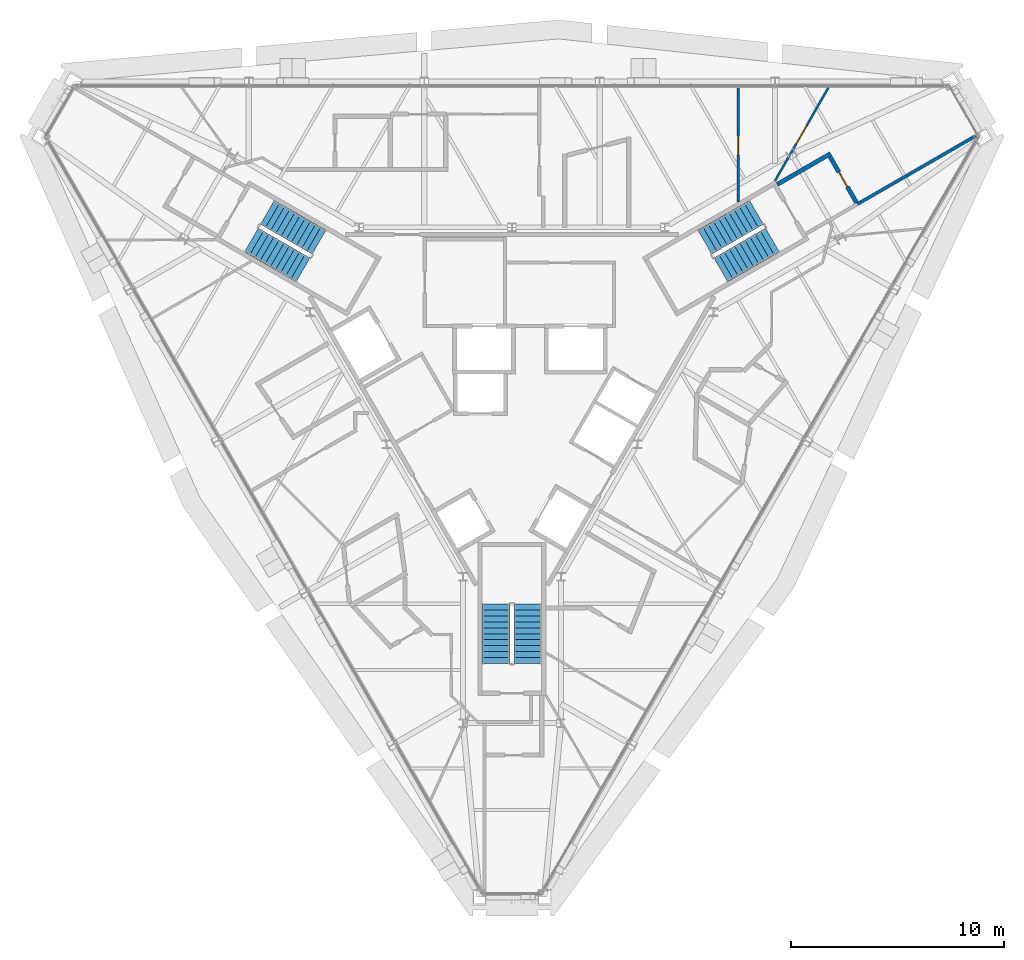
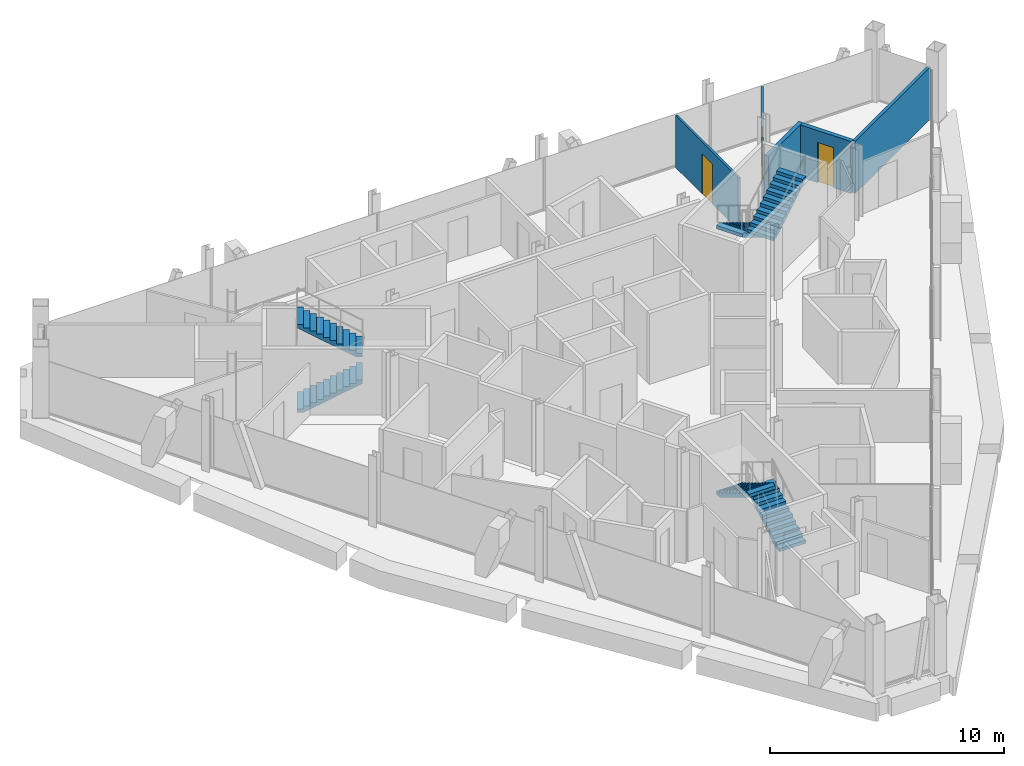
# One storey, part 11 of 13: 6 stair flights, 5 walls, 3 doors, 3 openings, 3 elements without a shape of their own.
"""IFC4 building model written with IfcOpenShell, lengths in metres."""

from ifc_helpers import new_model, si_unit, direction, frame, frame_2d, origin, place, context, subcontext, project, spatial, polyline, rectangle, outline, extrude, material, layer, layer_set, type_object, element, fill, aggregate, save


model = new_model("IFC4")

# Units and contexts
model_context = context("Model", 3, precision=1e-05, world=origin(), true_north=direction((0.0, 1.0)))
body_context = subcontext(model_context, "Body", "Model", "MODEL_VIEW")
ifc_project = project(units=[si_unit("LENGTHUNIT", "METRE"), si_unit("AREAUNIT", "SQUARE_METRE"), si_unit("VOLUMEUNIT", "CUBIC_METRE"), si_unit("PLANEANGLEUNIT", "RADIAN"), si_unit("MASSUNIT", "GRAM", prefix="KILO")], contexts=[model_context])

# Site, building, storey
site_placement = place(None, origin())
site = spatial("IfcSite", under=ifc_project, at=site_placement, CompositionType="ELEMENT")
building_placement = place(site_placement, origin())
building = spatial("IfcBuilding", under=site, at=building_placement, Name="Verrane Prism Tower", CompositionType="ELEMENT")
storey_placement = place(building_placement, frame((0.0, 0.0, 278.800048828125)))
storey = spatial("IfcBuildingStorey", under=building, at=storey_placement, Name="L70", CompositionType="ELEMENT", Elevation=278.800048828125)

# Wall, opening, door
ifc_material_1 = material(Name="Gypsum board partition", Category="other")
ifc_layer_1 = layer(ifc_material_1, 0.10009765625)
ifc_layer_set_1 = layer_set([ifc_layer_1], Name="PW-100 room partition")
wall_type_1 = type_object("IfcWallType", Name="PW-100 room partition", PredefinedType="PARTITIONING", material=ifc_layer_set_1)
wall_1_placement = place(storey_placement, frame((10.631103515625, 13.35107421875, 0.0), z_axis=(0.0, 0.0, 1.0), x_axis=(0.0, -1.0, 0.0)))
wall_1 = element("IfcWall", 1, at=wall_1_placement, inside=storey, type_object=wall_type_1, Name="Room partition 061", PredefinedType="PARTITIONING", context=body_context, shape_type="SweptSolid", body=[
    extrude(rectangle(XDim=5.365966796875, YDim=0.10009765625, at=frame_2d((2.68310546875, 0.0))), origin(), (0.0, 0.0, 1.0), 2.722900390625),
])
opening_1_placement = place(wall_1_placement, frame((2.26611328125, 0.0, 0.0)))
opening_1 = element("IfcOpeningElement", 2, at=opening_1_placement, cuts=wall_1, Name="Opening D69010", PredefinedType="OPENING", context=body_context, shape_type="SweptSolid", body=[
    extrude(rectangle(XDim=0.89990234375, YDim=2.10009765625, at=frame_2d((0.449951171875, 1.050048828125))), frame((0.0, 0.06005859375, 0.0), z_axis=(0.0, -1.0, 0.0), x_axis=(1.0, 0.0, 0.0)), (0.0, 0.0, 1.0), 0.1201171875),
])
ifc_material_2 = material(Name="Timber veneered door leaf", Category="wood")
door_type_1 = type_object("IfcDoorType", Name="DR-900x2100 single leaf inner", OperationType="NOTDEFINED", PredefinedType="DOOR", material=ifc_material_2)
door_1_placement = place(opening_1_placement, origin())
door_1 = element("IfcDoor", 3, at=door_1_placement, inside=storey, type_object=door_type_1, Name="Living And Dining Room door", OperationType="SINGLE_SWING_LEFT", OverallHeight=2.10009765625, OverallWidth=0.89990234375, PredefinedType="DOOR", context=body_context, shape_type="SweptSolid", body=[
    extrude(rectangle(XDim=0.89990234375, YDim=2.10009765625, at=frame_2d((0.449951171875, 1.050048828125))), frame((0.0, 0.02490234375, 0.0), z_axis=(0.0, -1.0, 0.0), x_axis=(1.0, 0.0, 0.0)), (0.0, 0.0, 1.0), 0.050048828125),
])
fill(opening_1, door_1)

wall_2_placement = place(storey_placement, frame((14.867919921875, 13.361572265625, 0.0), z_axis=(0.0, 0.0, 1.0), x_axis=(-0.496681239155, -0.867933031214, 0.0)))
wall_2 = element("IfcWall", 4, at=wall_2_placement, inside=storey, type_object=wall_type_1, Name="Room partition 068", PredefinedType="PARTITIONING", context=body_context, shape_type="SweptSolid", body=[
    extrude(rectangle(XDim=5.041259765625, YDim=0.10009765625, at=frame_2d((2.5205078125, 0.0))), origin(), (0.0, 0.0, 1.0), 2.722900390625),
])
opening_2_placement = place(wall_2_placement, frame((2.041259765625, 0.0, 0.0)))
opening_2 = element("IfcOpeningElement", 5, at=opening_2_placement, cuts=wall_2, Name="Opening D69013", PredefinedType="OPENING", context=body_context, shape_type="SweptSolid", body=[
    extrude(rectangle(XDim=1.0, YDim=2.10009765625, at=frame_2d((0.5, 1.050048828125))), frame((0.0, 0.06005859375, 0.0), z_axis=(0.0, -1.0, 0.0), x_axis=(1.0, 0.0, 0.0)), (0.0, 0.0, 1.0), 0.1201171875),
])
ifc_material_3 = material(Name="Timber veneered door leaf", Category="wood")
door_type_2 = type_object("IfcDoorType", Name="DR-1000x2100 single leaf inner", OperationType="NOTDEFINED", PredefinedType="DOOR", material=ifc_material_3)
door_2_placement = place(opening_2_placement, origin())
door_2 = element("IfcDoor", 6, at=door_2_placement, inside=storey, type_object=door_type_2, Name="Study door", OperationType="SINGLE_SWING_RIGHT", OverallHeight=2.10009765625, OverallWidth=1.0, PredefinedType="DOOR", context=body_context, shape_type="SweptSolid", body=[
    extrude(rectangle(XDim=1.0, YDim=2.10009765625, at=frame_2d((0.5, 1.050048828125))), frame((0.0, 0.02490234375, 0.0), z_axis=(0.0, -1.0, 0.0), x_axis=(1.0, 0.0, 0.0)), (0.0, 0.0, 1.0), 0.050048828125),
])
fill(opening_2, door_2)

# Walls
ifc_material_4 = material(Name="Gypsum board partition", Category="other")
ifc_layer_2 = layer(ifc_material_4, 0.14990234375)
ifc_layer_set_2 = layer_set([ifc_layer_2], Name="PW-150 demising wall 1 h")
wall_type_2 = type_object("IfcWallType", Name="PW-150 demising wall 1 h", PredefinedType="PARTITIONING", material=ifc_layer_set_2)
wall_3_placement = place(storey_placement, frame((16.236083984375, 7.888916015625, 0.0), z_axis=(0.0, 0.0, 1.0), x_axis=(0.865995456094, 0.500051867335, 0.0)))
element("IfcWall", 7, at=wall_3_placement, inside=storey, type_object=wall_type_2, Name="Demising wall 075", PredefinedType="PARTITIONING", context=body_context, shape_type="SweptSolid", body=[
    extrude(rectangle(XDim=6.415283203125, YDim=0.14990234375, at=frame_2d((3.20751953125, 0.0))), origin(), (0.0, 0.0, 1.0), 2.722900390625),
])
ifc_material_5 = material(Name="Gypsum board partition", Category="other")
ifc_layer_3 = layer(ifc_material_5, 0.199951171875)
ifc_layer_set_3 = layer_set([ifc_layer_3], Name="PW-200 plumbing wall")
wall_type_3 = type_object("IfcWallType", Name="PW-200 plumbing wall", PredefinedType="PARTITIONING", material=ifc_layer_set_3)
wall_4_placement = place(storey_placement, frame((12.464111328125, 8.81298828125, 0.0), z_axis=(0.0, 0.0, 1.0), x_axis=(0.865948555758, 0.50013308107, 0.0)))
element("IfcWall", 8, at=wall_4_placement, inside=storey, type_object=wall_type_3, Name="Plumbing wall 069", PredefinedType="PARTITIONING", context=body_context, shape_type="SweptSolid", body=[
    extrude(rectangle(XDim=2.899169921875, YDim=0.199951171875, at=frame_2d((1.44970703125, 0.0))), origin(), (0.0, 0.0, 1.0), 2.722900390625),
])

# Wall, opening, door
wall_5_placement = place(storey_placement, frame((16.193603515625, 7.951904296875, 0.0), z_axis=(0.0, 0.0, 1.0), x_axis=(-0.500039460523, 0.866002620042, 0.0)))
wall_5 = element("IfcWall", 9, at=wall_5_placement, inside=storey, type_object=wall_type_3, Name="Plumbing wall 072", PredefinedType="PARTITIONING", context=body_context, shape_type="SweptSolid", body=[
    extrude(rectangle(XDim=2.510986328125, YDim=0.199951171875, at=frame_2d((1.25537109375, 0.0))), origin(), (0.0, 0.0, 1.0), 2.722900390625),
])
opening_3_placement = place(wall_5_placement, frame((0.86083984375, 0.0, 0.0)))
opening_3 = element("IfcOpeningElement", 10, at=opening_3_placement, cuts=wall_5, Name="Opening D69014", PredefinedType="OPENING", context=body_context, shape_type="SweptSolid", body=[
    extrude(rectangle(XDim=0.800048828125, YDim=2.10009765625, at=frame_2d((0.39990234375, 1.050048828125))), frame((0.0, 0.10986328125, 0.0), z_axis=(0.0, -1.0, 0.0), x_axis=(1.0, 0.0, 0.0)), (0.0, 0.0, 1.0), 0.219970703125),
])
ifc_material_6 = material(Name="Timber veneered door leaf", Category="wood")
door_type_3 = type_object("IfcDoorType", Name="DR-800x2100 single leaf bath", OperationType="NOTDEFINED", PredefinedType="DOOR", material=ifc_material_6)
door_3_placement = place(opening_3_placement, origin())
door_3 = element("IfcDoor", 11, at=door_3_placement, inside=storey, type_object=door_type_3, Name="Master Bathroom door", OperationType="SINGLE_SWING_LEFT", OverallHeight=2.10009765625, OverallWidth=0.800048828125, PredefinedType="DOOR", context=body_context, shape_type="SweptSolid", body=[
    extrude(rectangle(XDim=0.800048828125, YDim=2.10009765625, at=frame_2d((0.39990234375, 1.050048828125))), frame((0.0, 0.02490234375, 0.0), z_axis=(0.0, -1.0, 0.0), x_axis=(1.0, 0.0, 0.0)), (0.0, 0.0, 1.0), 0.050048828125),
])
fill(opening_3, door_3)

# Stair, stair flights
ifc_material_7 = material(Name="Concrete C40/50", Category="concrete")
stair_type = type_object("IfcStairType", Name="Exit stair 1300 dog-leg precast concrete C40/50", PredefinedType="HALF_TURN_STAIR", material=ifc_material_7)
stair_1_placement = place(storey_placement, origin())
stair_1 = element("IfcStair", 12, at=stair_1_placement, inside=storey, type_object=stair_type, Name="Stair 1 L70", PredefinedType="HALF_TURN_STAIR")
ifc_material_8 = material(Name="Concrete C40/50", Category="concrete")
stair_flight_type = type_object("IfcStairFlightType", Name="Stair flight 1300 precast concrete C40/50", PredefinedType="STRAIGHT", material=ifc_material_8)
stair_flight_1_placement = place(storey_placement, frame((11.489501953125, 7.49951171875, 0.0), z_axis=(0.0, 0.0, 1.0), x_axis=(-0.866025403784, -0.5, 0.0)))
stair_flight_1 = element("IfcStairFlight", 13, at=stair_flight_1_placement, type_object=stair_flight_type, Name="Stair 1 flight 1", NumberOfRisers=11, NumberOfTreads=10, PredefinedType="STRAIGHT", RiserHeight=0.168181818, TreadLength=0.28, context=body_context, shape_type="SweptSolid", body=[
    extrude(outline(polyline([(0.0, 0.0), (0.0, 0.168212890625), (0.280029296875, 0.168212890625), (0.280029296875, 0.33642578125), (0.56005859375, 0.33642578125), (0.56005859375, 0.504638671875), (0.840087890625, 0.504638671875), (0.840087890625, 0.672607421875), (1.1201171875, 0.672607421875), (1.1201171875, 0.8408203125), (1.39990234375, 0.8408203125), (1.39990234375, 1.009033203125), (1.679931640625, 1.009033203125), (1.679931640625, 1.17724609375), (1.9599609375, 1.17724609375), (1.9599609375, 1.345458984375), (2.239990234375, 1.345458984375), (2.239990234375, 1.513671875), (2.52001953125, 1.513671875), (2.52001953125, 1.681884765625), (2.800048828125, 1.681884765625), (2.800048828125, 1.85009765625), (2.800048828125, 1.5068359375), (0.291015625, 0.0), (0.0, 0.0)])), frame((0.0, 0.64990234375, 0.0), z_axis=(0.0, -1.0, 0.0), x_axis=(1.0, 0.0, 0.0)), (0.0, 0.0, 1.0), 1.300048828125),
])
stair_flight_2_placement = place(storey_placement, frame((9.814697265625, 4.800537109375, 1.849853515625), z_axis=(0.0, 0.0, 1.0), x_axis=(0.866025403784, 0.5, 0.0)))
stair_flight_2 = element("IfcStairFlight", 14, at=stair_flight_2_placement, type_object=stair_flight_type, Name="Stair 1 flight 2", NumberOfRisers=11, NumberOfTreads=10, PredefinedType="STRAIGHT", RiserHeight=0.168181818, TreadLength=0.28, context=body_context, shape_type="SweptSolid", body=[
    extrude(outline(polyline([(0.0, 0.0), (0.0, 0.168212890625), (0.280029296875, 0.168212890625), (0.280029296875, 0.33642578125), (0.56005859375, 0.33642578125), (0.56005859375, 0.504638671875), (0.840087890625, 0.504638671875), (0.840087890625, 0.672607421875), (1.1201171875, 0.672607421875), (1.1201171875, 0.8408203125), (1.39990234375, 0.8408203125), (1.39990234375, 1.009033203125), (1.679931640625, 1.009033203125), (1.679931640625, 1.17724609375), (1.9599609375, 1.17724609375), (1.9599609375, 1.345458984375), (2.239990234375, 1.345458984375), (2.239990234375, 1.513671875), (2.52001953125, 1.513671875), (2.52001953125, 1.681884765625), (2.800048828125, 1.681884765625), (2.800048828125, 1.85009765625), (2.800048828125, 1.5068359375), (0.291015625, 0.0), (0.0, 0.0)])), frame((0.0, 0.64990234375, 0.0), z_axis=(0.0, -1.0, 0.0), x_axis=(1.0, 0.0, 0.0)), (0.0, 0.0, 1.0), 1.300048828125),
])
aggregate(stair_1, [stair_flight_1, stair_flight_2])

stair_2_placement = place(storey_placement, origin())
stair_2 = element("IfcStair", 15, at=stair_2_placement, inside=storey, type_object=stair_type, Name="Stair 2 L70", PredefinedType="HALF_TURN_STAIR")
stair_flight_3_placement = place(storey_placement, frame((-12.239501953125, 6.200439453125, 0.0), z_axis=(0.0, 0.0, 1.0), x_axis=(0.866025403784, -0.5, 0.0)))
stair_flight_3 = element("IfcStairFlight", 16, at=stair_flight_3_placement, type_object=stair_flight_type, Name="Stair 2 flight 1", NumberOfRisers=11, NumberOfTreads=10, PredefinedType="STRAIGHT", RiserHeight=0.168181818, TreadLength=0.28, context=body_context, shape_type="SweptSolid", body=[
    extrude(outline(polyline([(0.0, 0.0), (0.0, 0.168212890625), (0.280029296875, 0.168212890625), (0.280029296875, 0.33642578125), (0.56005859375, 0.33642578125), (0.56005859375, 0.504638671875), (0.840087890625, 0.504638671875), (0.840087890625, 0.672607421875), (1.1201171875, 0.672607421875), (1.1201171875, 0.8408203125), (1.39990234375, 0.8408203125), (1.39990234375, 1.009033203125), (1.679931640625, 1.009033203125), (1.679931640625, 1.17724609375), (1.9599609375, 1.17724609375), (1.9599609375, 1.345458984375), (2.239990234375, 1.345458984375), (2.239990234375, 1.513671875), (2.52001953125, 1.513671875), (2.52001953125, 1.681884765625), (2.800048828125, 1.681884765625), (2.800048828125, 1.85009765625), (2.800048828125, 1.5068359375), (0.291015625, 0.0), (0.0, 0.0)])), frame((0.0, 0.64990234375, 0.0), z_axis=(0.0, -1.0, 0.0), x_axis=(1.0, 0.0, 0.0)), (0.0, 0.0, 1.0), 1.300048828125),
])
stair_flight_4_placement = place(storey_placement, frame((-9.064697265625, 6.099609375, 1.849853515625), z_axis=(0.0, 0.0, 1.0), x_axis=(-0.866025403784, 0.5, 0.0)))
stair_flight_4 = element("IfcStairFlight", 17, at=stair_flight_4_placement, type_object=stair_flight_type, Name="Stair 2 flight 2", NumberOfRisers=11, NumberOfTreads=10, PredefinedType="STRAIGHT", RiserHeight=0.168181818, TreadLength=0.28, context=body_context, shape_type="SweptSolid", body=[
    extrude(outline(polyline([(0.0, 0.0), (0.0, 0.168212890625), (0.280029296875, 0.168212890625), (0.280029296875, 0.33642578125), (0.56005859375, 0.33642578125), (0.56005859375, 0.504638671875), (0.840087890625, 0.504638671875), (0.840087890625, 0.672607421875), (1.1201171875, 0.672607421875), (1.1201171875, 0.8408203125), (1.39990234375, 0.8408203125), (1.39990234375, 1.009033203125), (1.679931640625, 1.009033203125), (1.679931640625, 1.17724609375), (1.9599609375, 1.17724609375), (1.9599609375, 1.345458984375), (2.239990234375, 1.345458984375), (2.239990234375, 1.513671875), (2.52001953125, 1.513671875), (2.52001953125, 1.681884765625), (2.800048828125, 1.681884765625), (2.800048828125, 1.85009765625), (2.800048828125, 1.5068359375), (0.291015625, 0.0), (0.0, 0.0)])), frame((0.0, 0.64990234375, 0.0), z_axis=(0.0, -1.0, 0.0), x_axis=(1.0, 0.0, 0.0)), (0.0, 0.0, 1.0), 1.300048828125),
])
aggregate(stair_2, [stair_flight_3, stair_flight_4])

stair_3_placement = place(storey_placement, origin())
stair_3 = element("IfcStair", 18, at=stair_3_placement, inside=storey, type_object=stair_type, Name="Stair 3 L70", PredefinedType="HALF_TURN_STAIR")
stair_flight_5_placement = place(storey_placement, frame((0.75, -13.699951171875, 0.0), z_axis=(0.0, 0.0, 1.0), x_axis=(0.0, 1.0, 0.0)))
stair_flight_5 = element("IfcStairFlight", 19, at=stair_flight_5_placement, type_object=stair_flight_type, Name="Stair 3 flight 1", NumberOfRisers=11, NumberOfTreads=10, PredefinedType="STRAIGHT", RiserHeight=0.168181818, TreadLength=0.28, context=body_context, shape_type="SweptSolid", body=[
    extrude(outline(polyline([(0.0, 0.0), (0.0, 0.168212890625), (0.280029296875, 0.168212890625), (0.280029296875, 0.33642578125), (0.56005859375, 0.33642578125), (0.56005859375, 0.504638671875), (0.840087890625, 0.504638671875), (0.840087890625, 0.672607421875), (1.1201171875, 0.672607421875), (1.1201171875, 0.8408203125), (1.39990234375, 0.8408203125), (1.39990234375, 1.009033203125), (1.679931640625, 1.009033203125), (1.679931640625, 1.17724609375), (1.9599609375, 1.17724609375), (1.9599609375, 1.345458984375), (2.239990234375, 1.345458984375), (2.239990234375, 1.513671875), (2.52001953125, 1.513671875), (2.52001953125, 1.681884765625), (2.800048828125, 1.681884765625), (2.800048828125, 1.85009765625), (2.800048828125, 1.5068359375), (0.291015625, 0.0), (0.0, 0.0)])), frame((0.0, 0.64990234375, 0.0), z_axis=(0.0, -1.0, 0.0), x_axis=(1.0, 0.0, 0.0)), (0.0, 0.0, 1.0), 1.300048828125),
])
stair_flight_6_placement = place(storey_placement, frame((-0.75, -10.89990234375, 1.849853515625), z_axis=(0.0, 0.0, 1.0), x_axis=(0.0, -1.0, 0.0)))
stair_flight_6 = element("IfcStairFlight", 20, at=stair_flight_6_placement, type_object=stair_flight_type, Name="Stair 3 flight 2", NumberOfRisers=11, NumberOfTreads=10, PredefinedType="STRAIGHT", RiserHeight=0.168181818, TreadLength=0.28, context=body_context, shape_type="SweptSolid", body=[
    extrude(outline(polyline([(0.0, 0.0), (0.0, 0.168212890625), (0.280029296875, 0.168212890625), (0.280029296875, 0.33642578125), (0.56005859375, 0.33642578125), (0.56005859375, 0.504638671875), (0.840087890625, 0.504638671875), (0.840087890625, 0.672607421875), (1.1201171875, 0.672607421875), (1.1201171875, 0.8408203125), (1.39990234375, 0.8408203125), (1.39990234375, 1.009033203125), (1.679931640625, 1.009033203125), (1.679931640625, 1.17724609375), (1.9599609375, 1.17724609375), (1.9599609375, 1.345458984375), (2.239990234375, 1.345458984375), (2.239990234375, 1.513671875), (2.52001953125, 1.513671875), (2.52001953125, 1.681884765625), (2.800048828125, 1.681884765625), (2.800048828125, 1.85009765625), (2.800048828125, 1.5068359375), (0.291015625, 0.0), (0.0, 0.0)])), frame((0.0, 0.64990234375, 0.0), z_axis=(0.0, -1.0, 0.0), x_axis=(1.0, 0.0, 0.0)), (0.0, 0.0, 1.0), 1.300048828125),
])
aggregate(stair_3, [stair_flight_5, stair_flight_6])

save(model, "model.ifc")
